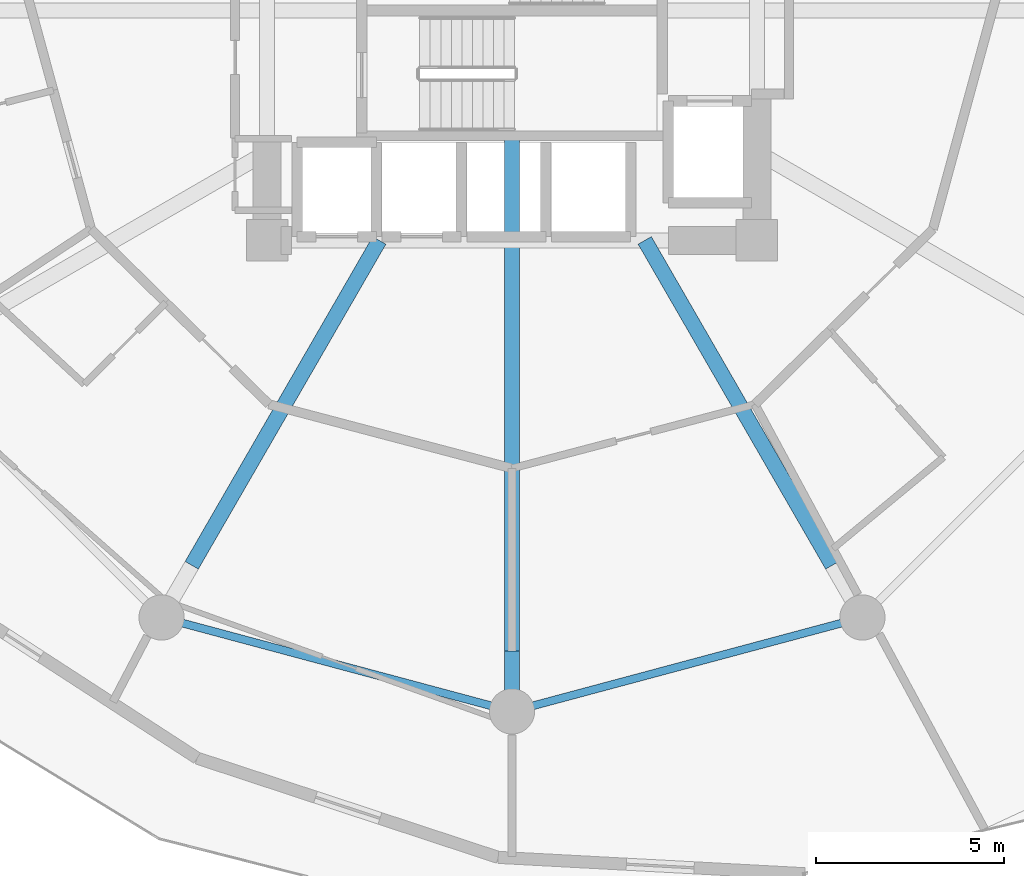
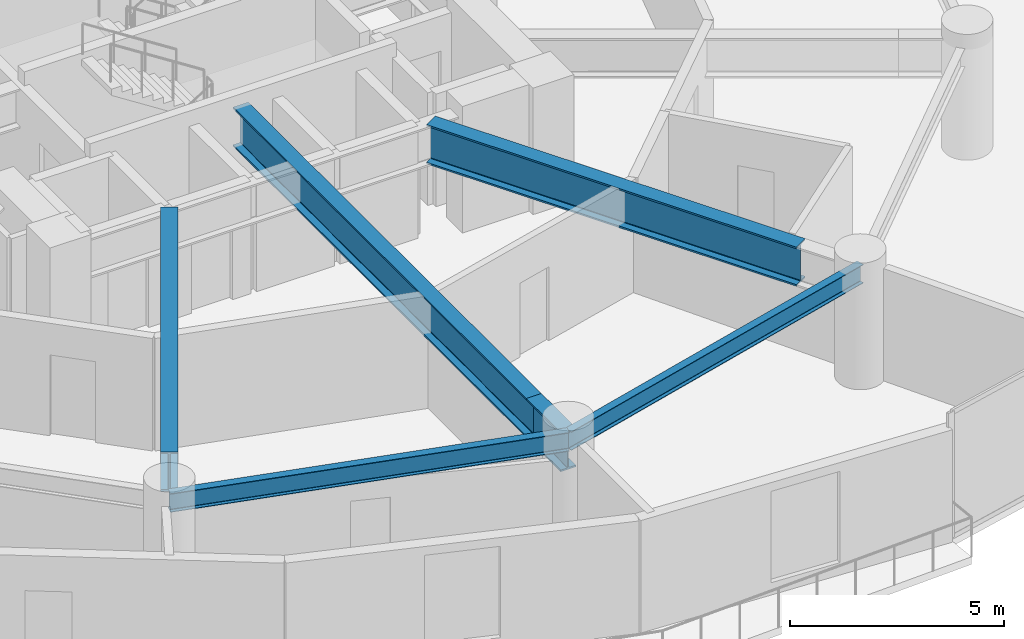
# One storey, part 3 of 24: 6 beams.
"""IFC4 building model written with IfcOpenShell, lengths in metres."""

import ifcopenshell
import ifcopenshell.guid

model = None  # the IFC model being written
_history = None  # IfcOwnerHistory: only IFC2X3 demands one
_inside = {}  # id of a spatial element -> (the spatial element, [elements in it])
_under = {}  # id of a project, library or spatial element -> (it, [spatial elements below it])
_declared = {}  # id of a project -> (the project, [libraries it declares])
_typed = {}  # id of a type object -> (the type object, [elements of that type])
_made_of = {}  # id of a material, layer set ... -> (it, [elements and type objects made of it])


def new_model(schema):
    """Start an empty IFC model of exactly this schema.

    Asked for "IFC4X3", IfcOpenShell would pick the latest addendum, in which some entities
    have other attributes; the version numbers below select the first issue.
    IFC2X3 requires an IfcOwnerHistory on every rooted entity: one is made here for all.
    """
    global model, _history
    if schema == "IFC4X3":
        model = ifcopenshell.file(schema_version=(4, 3, 0, 0))
    else:
        model = ifcopenshell.file(schema=schema)
    _inside.clear()
    _under.clear()
    _declared.clear()
    _typed.clear()
    _made_of.clear()
    _history = None
    if model.schema == "IFC2X3":
        org = make("IfcOrganization", Name="unknown")
        user = make(
            "IfcPersonAndOrganization",
            ThePerson=make("IfcPerson", FamilyName="unknown"),
            TheOrganization=org,
        )
        app = make(
            "IfcApplication",
            ApplicationDeveloper=org,
            Version="unknown",
            ApplicationFullName="unknown",
            ApplicationIdentifier="unknown",
        )
        _history = make(
            "IfcOwnerHistory",
            OwningUser=user,
            OwningApplication=app,
            ChangeAction="ADDED",
            CreationDate=0,
        )
    return model


def make(cls, **values):
    """One entity of the class cls with the attributes given. An attribute that is None is left unset."""
    return model.create_entity(
        cls, **{name: value for name, value in values.items() if value is not None}
    )


def rooted(cls, **values):
    """An entity with a GlobalId (a new one), such as an element, a storey or a relation."""
    return make(cls, GlobalId=ifcopenshell.guid.new(), OwnerHistory=_history, **values)


def si_unit(unit_type, name, prefix=None):
    """IfcSIUnit, for example si_unit("LENGTHUNIT", "METRE", prefix="MILLI")."""
    return make("IfcSIUnit", UnitType=unit_type, Prefix=prefix, Name=name)


def assignment(units):
    """IfcUnitAssignment: the units of a project."""
    return None if units is None else make("IfcUnitAssignment", Units=units)


def point(xyz):
    """IfcCartesianPoint."""
    return None if xyz is None else make("IfcCartesianPoint", Coordinates=xyz)


def direction(xyz):
    """IfcDirection."""
    return None if xyz is None else make("IfcDirection", DirectionRatios=xyz)


def frame(location, z_axis=None, x_axis=None):
    """IfcAxis2Placement3D, a coordinate frame: its origin and axes. An axis left out is left unset."""
    return make(
        "IfcAxis2Placement3D",
        Location=point(location),
        Axis=direction(z_axis),
        RefDirection=direction(x_axis),
    )


def frame_2d(location, x_axis=None):
    """IfcAxis2Placement2D, a coordinate frame in the plane: its origin and x axis."""
    return make(
        "IfcAxis2Placement2D", Location=point(location), RefDirection=direction(x_axis)
    )


def origin():
    """The frame at (0, 0, 0) with its axes left unset."""
    return frame((0.0, 0.0, 0.0))


def origin_2d():
    """The frame at (0, 0) in the plane with its x axis left unset."""
    return frame_2d((0.0, 0.0))


def place(relative_to, where):
    """IfcLocalPlacement: puts the frame where relative to a parent placement (None: the world)."""
    return make(
        "IfcLocalPlacement", PlacementRelTo=relative_to, RelativePlacement=where
    )


def context(
    kind, dimensions, precision=None, world=None, true_north=None, identifier=None
):
    """IfcGeometricRepresentationContext, for example the 3D "Model" context."""
    return make(
        "IfcGeometricRepresentationContext",
        ContextIdentifier=identifier,
        ContextType=kind,
        CoordinateSpaceDimension=dimensions,
        Precision=precision,
        WorldCoordinateSystem=world,
        TrueNorth=true_north,
    )


def subcontext(parent, identifier, kind, view, scale=None):
    """IfcGeometricRepresentationSubContext, for example "Body" below "Model"."""
    return make(
        "IfcGeometricRepresentationSubContext",
        ContextIdentifier=identifier,
        ContextType=kind,
        ParentContext=parent,
        TargetScale=scale,
        TargetView=view,
    )


def project(units=None, contexts=None):
    """IfcProject with its units and contexts."""
    return rooted(
        "IfcProject",
        Name="project",
        RepresentationContexts=contexts,
        UnitsInContext=assignment(units),
    )


def spatial(cls, under=None, at=None, **own):
    """A site, building, storey or space (cls), placed at a placement, below another one or the project."""
    s = rooted(cls, ObjectPlacement=at, **own)
    if under is not None:
        _under.setdefault(under.id(), (under, []))[1].append(s)
    return s


def profile(cls, at=None, kind="AREA", **sizes):
    """A parametric profile (cls). Its sizes go by their IFC names, for example OverallWidth=200.0."""
    return make(cls, ProfileType=kind, Position=at, **sizes)


def i_section(**sizes):
    """IfcIShapeProfileDef."""
    return profile("IfcIShapeProfileDef", **sizes)


def extrude(swept, where, along, depth):
    """IfcExtrudedAreaSolid: the profile swept, set in the frame where, extruded along a direction by depth."""
    return make(
        "IfcExtrudedAreaSolid",
        SweptArea=swept,
        Position=where,
        ExtrudedDirection=direction(along),
        Depth=depth,
    )


def shape(context_of_items, identifier, shape_type, items):
    """IfcShapeRepresentation: the items that make up one representation, for example the "Body"."""
    return make(
        "IfcShapeRepresentation",
        ContextOfItems=context_of_items,
        RepresentationIdentifier=identifier,
        RepresentationType=shape_type,
        Items=items,
    )


def material(Name=None, Category=None):
    """IfcMaterial."""
    return make("IfcMaterial", Name=Name, Category=Category)


def material_profile(
    of_material, cross_section, Name=None, Category=None, Priority=None
):
    """IfcMaterialProfile: a cross section and its material."""
    return make(
        "IfcMaterialProfile",
        Name=Name,
        Material=of_material,
        Profile=cross_section,
        Priority=Priority,
        Category=Category,
    )


def profile_set(profiles, Name=None, composite=None):
    """IfcMaterialProfileSet."""
    return make(
        "IfcMaterialProfileSet",
        Name=Name,
        MaterialProfiles=profiles,
        CompositeProfile=composite,
    )


def made_of(thing, what):
    """Note that an element or type object is made of a material, layer set ...; save() writes the relation."""
    if what is not None:
        _made_of.setdefault(what.id(), (what, []))[1].append(thing)
    return thing


def type_object(cls, material=None, **own):
    """A type object (cls), such as IfcWallType, which elements share."""
    return made_of(rooted(cls, **own), material)


def element(
    cls,
    number,
    at=None,
    inside=None,
    cuts=None,
    type_object=None,
    material=None,
    context=None,
    identifier="Body",
    shape_type=None,
    held_by="IfcProductDefinitionShape",
    body=None,
    shapes=None,
    **own,
):
    """One element of the class cls, such as IfcWall. Its Tag is "e" and its number.

    at: its placement. inside: the storey or other place that contains it. cuts: it is an
    opening in that element (IfcRelVoidsElement). A single representation is given by context,
    identifier, shape_type and body (its items); several are given by shapes. held_by: the class
    of the entity that holds the representations. save() writes the other relations.
    """
    e = rooted(cls, Tag="e%d" % number, ObjectPlacement=at, **own)
    if body is not None:
        shapes = [shape(context, identifier, shape_type, body)]
    if shapes is not None:
        e.Representation = make(held_by, Representations=shapes)
    if inside is not None:
        _inside.setdefault(inside.id(), (inside, []))[1].append(e)
    if cuts is not None:
        rooted(
            "IfcRelVoidsElement", RelatingBuildingElement=cuts, RelatedOpeningElement=e
        )
    if type_object is not None:
        _typed.setdefault(type_object.id(), (type_object, []))[1].append(e)
    return made_of(e, material)


def aggregate(whole, parts):
    """IfcRelAggregates: a whole, such as a stair, and the parts it consists of."""
    return rooted("IfcRelAggregates", RelatingObject=whole, RelatedObjects=parts)


def save(model, path):
    """Write the relations noted so far, then the file.

    IfcRelAggregates (storeys below a building ...), IfcRelContainedInSpatialStructure (elements
    in a storey), IfcRelDefinesByType, IfcRelAssociatesMaterial and IfcRelDeclares: one each for
    every whole, place, type object, material and project.
    """
    for whole, parts in _under.values():
        aggregate(whole, parts)
    for where, things in _inside.values():
        rooted(
            "IfcRelContainedInSpatialStructure",
            RelatedElements=things,
            RelatingStructure=where,
        )
    for kind, things in _typed.values():
        rooted("IfcRelDefinesByType", RelatedObjects=things, RelatingType=kind)
    for what, things in _made_of.values():
        rooted("IfcRelAssociatesMaterial", RelatedObjects=things, RelatingMaterial=what)
    for by, libraries in _declared.values():
        rooted("IfcRelDeclares", RelatingContext=by, RelatedDefinitions=libraries)
    model.write(path)


model = new_model("IFC4")

# Units and contexts
model_context = context("Model", 3, precision=1e-05, world=origin(), true_north=direction((0.0, 1.0)))
body_context = subcontext(model_context, "Body", "Model", "MODEL_VIEW")
ifc_project = project(units=[si_unit("LENGTHUNIT", "METRE"), si_unit("AREAUNIT", "SQUARE_METRE"), si_unit("VOLUMEUNIT", "CUBIC_METRE"), si_unit("PLANEANGLEUNIT", "RADIAN"), si_unit("MASSUNIT", "GRAM", prefix="KILO")], contexts=[model_context])

# Site, building, storey
site_placement = place(None, origin())
site = spatial("IfcSite", under=ifc_project, at=site_placement, CompositionType="ELEMENT")
building_placement = place(site_placement, origin())
building = spatial("IfcBuilding", under=site, at=building_placement, Name="Solvirekh Grand Hotel", CompositionType="ELEMENT")
storey_placement = place(building_placement, frame((0.0, 0.0, 89.60009765625)))
storey = spatial("IfcBuildingStorey", under=building, at=storey_placement, Name="L22", CompositionType="ELEMENT", Elevation=89.60009765625)

# Beams
ifc_material_1 = material(Name="Steel S355", Category="steel")
ifc_material_profile_1 = material_profile(ifc_material_1, i_section(OverallWidth=0.208984375, OverallDepth=0.532958984375, WebThickness=0.010009765625, FlangeThickness=0.014892578125, FilletRadius=0.013916015625, at=origin_2d()), Name="W530X92")
ifc_profile_set_1 = profile_set([ifc_material_profile_1], Name="Steel S355")
beam_type_1 = type_object("IfcBeamType", Name="Spandrel_Ring_W530", PredefinedType="SPANDREL", material=ifc_profile_set_1)
for number, where, z_axis, x_axis, name in (
    (1, (-9.300048828125, -16.10791015625, 2.933837890625), (0.965919414426, -0.258842973314, 0.0), (0.258842973314, 0.965919414426, 0.0), "L22 perimeter spandrel beam 9"),
    (2, (0.0, -18.60009765625, 2.933837890625), (0.965919414426, 0.258842973314, 0.0), (-0.258842973314, 0.965919414426, 0.0), "L22 perimeter spandrel beam 10"),
):
    element("IfcBeam", number, at=place(storey_placement, frame(where, z_axis=z_axis, x_axis=x_axis)), inside=storey, type_object=beam_type_1, Name=name, PredefinedType="SPANDREL", context=body_context, shape_type="SweptSolid", body=[
        extrude(i_section(OverallWidth=0.208984375, OverallDepth=0.532958984375, WebThickness=0.010009765625, FlangeThickness=0.014892578125, FilletRadius=0.013916015625, at=origin_2d()), origin(), (0.0, 0.0, 1.0), 9.628173828125),
    ])
ifc_material_2 = material(Name="Steel S460", Category="steel")
ifc_material_profile_2 = material_profile(ifc_material_2, i_section(OverallWidth=0.405029296875, OverallDepth=1.117919921875, WebThickness=0.02587890625, FlangeThickness=0.048095703125, FilletRadius=0.02392578125, at=origin_2d()), Name="W1100X499")
ifc_profile_set_2 = profile_set([ifc_material_profile_2], Name="Steel S460")
beam_type_2 = type_object("IfcBeamType", Name="TransferGirder_W1100", PredefinedType="USERDEFINED", material=ifc_profile_set_2)
beam_1_placement = place(storey_placement, frame((-3.52294921875, -6.10009765625, 2.640869140625), z_axis=(-0.499942525684, -0.866058584054, 0.0), x_axis=(0.866058584054, -0.499942525684, 0.0)))
element("IfcBeam", 3, at=beam_1_placement, inside=storey, type_object=beam_type_2, Name="L22 inner radial transfer girder 9A", ObjectType="TRANSFER GIRDER", PredefinedType="USERDEFINED", context=body_context, shape_type="SweptSolid", body=[
    extrude(i_section(OverallWidth=0.405029296875, OverallDepth=1.117919921875, WebThickness=0.02587890625, FlangeThickness=0.048095703125, FilletRadius=0.02392578125, at=origin_2d()), origin(), (0.0, 0.0, 1.0), 9.955322265625),
])
beam_2_placement = place(storey_placement, frame((0.0, -3.324951171875, 2.640869140625), z_axis=(0.0, -1.0, 0.0), x_axis=(1.0, 0.0, 0.0)))
element("IfcBeam", 4, at=beam_2_placement, inside=storey, type_object=beam_type_2, Name="L22 inner radial transfer girder 10A", ObjectType="TRANSFER GIRDER", PredefinedType="USERDEFINED", context=body_context, shape_type="SweptSolid", body=[
    extrude(i_section(OverallWidth=0.405029296875, OverallDepth=1.117919921875, WebThickness=0.02587890625, FlangeThickness=0.048095703125, FilletRadius=0.02392578125, at=origin_2d()), origin(), (0.0, 0.0, 1.0), 13.675048828125),
])
beam_3_placement = place(storey_placement, frame((0.0, -17.0, 2.640869140625), z_axis=(0.0, -1.0, 0.0), x_axis=(1.0, 0.0, 0.0)))
element("IfcBeam", 5, at=beam_3_placement, inside=storey, type_object=beam_type_2, Name="L22 outer radial transfer girder 10B", ObjectType="TRANSFER GIRDER", PredefinedType="USERDEFINED", context=body_context, shape_type="SweptSolid", body=[
    extrude(i_section(OverallWidth=0.405029296875, OverallDepth=1.117919921875, WebThickness=0.02587890625, FlangeThickness=0.048095703125, FilletRadius=0.02392578125, at=origin_2d()), origin(), (0.0, 0.0, 1.0), 1.60009765625),
])
beam_4_placement = place(storey_placement, frame((3.52294921875, -6.10009765625, 2.640869140625), z_axis=(0.499942525684, -0.866058584054, 0.0), x_axis=(0.866058584054, 0.499942525684, 0.0)))
element("IfcBeam", 6, at=beam_4_placement, inside=storey, type_object=beam_type_2, Name="L22 inner radial transfer girder 11A", ObjectType="TRANSFER GIRDER", PredefinedType="USERDEFINED", context=body_context, shape_type="SweptSolid", body=[
    extrude(i_section(OverallWidth=0.405029296875, OverallDepth=1.117919921875, WebThickness=0.02587890625, FlangeThickness=0.048095703125, FilletRadius=0.02392578125, at=origin_2d()), origin(), (0.0, 0.0, 1.0), 9.955322265625),
])

save(model, "model.ifc")
